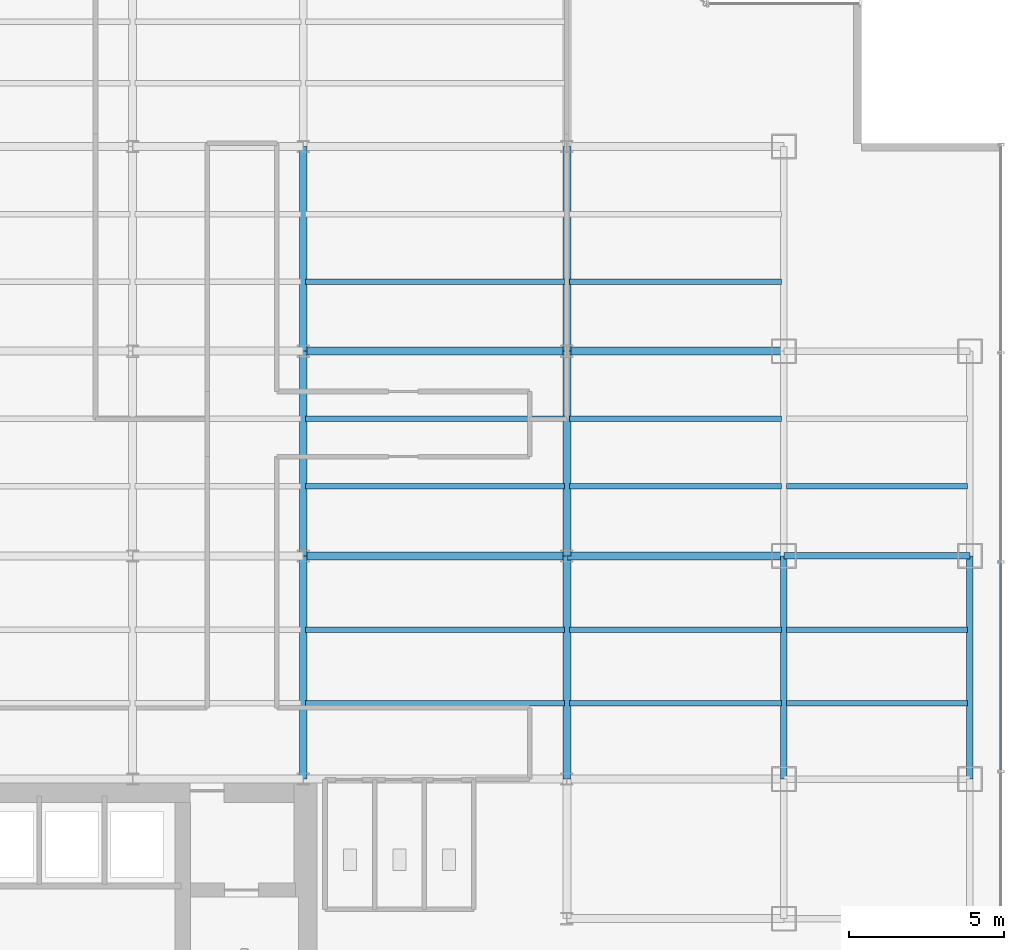
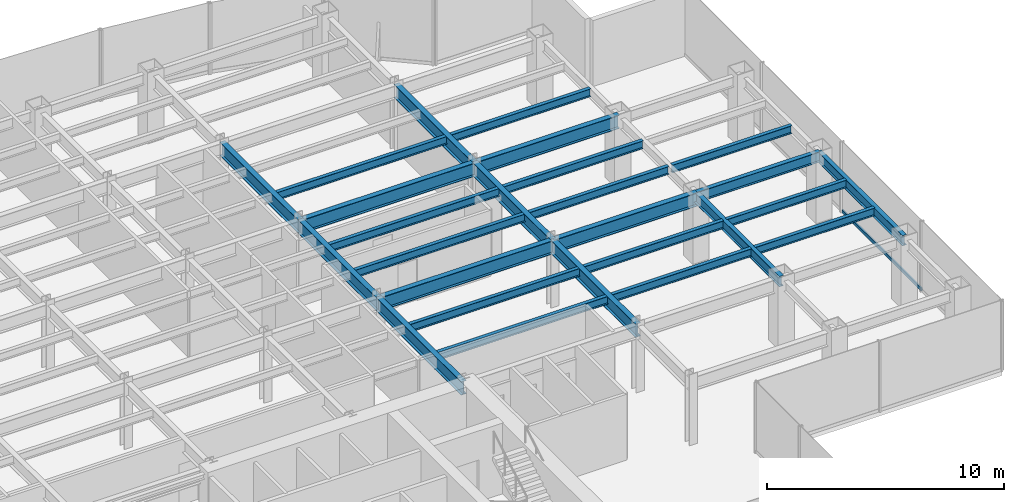
# One storey, part 11 of 26: 26 beams, 1 member, 1 element without a shape of its own.
"""IFC4 building model written with IfcOpenShell, lengths in metres."""

from ifc_helpers import new_model, si_unit, derived_unit, direction, frame, origin, origin_2d, place, context, subcontext, project, spatial, hollow_rectangle, i_section, extrude, source, transform, mapped, material, material_profile, profile_set, type_object, element, aggregate, save


model = new_model("IFC4")

# Units and contexts
model_context = context("Model", 3, precision=1e-05, world=origin(), true_north=direction((0.0, 1.0)))
body_context = subcontext(model_context, "Body", "Model", "MODEL_VIEW")
ifc_project = project(units=[si_unit("LENGTHUNIT", "METRE"), si_unit("AREAUNIT", "SQUARE_METRE"), si_unit("VOLUMEUNIT", "CUBIC_METRE"), si_unit("PLANEANGLEUNIT", "RADIAN"), si_unit("MASSUNIT", "GRAM", prefix="KILO"), derived_unit("THERMALTRANSMITTANCEUNIT", [(si_unit("POWERUNIT", "WATT"), 1), (si_unit("LENGTHUNIT", "METRE"), -2), (si_unit("THERMODYNAMICTEMPERATUREUNIT", "KELVIN"), -1)])], contexts=[model_context])

# Site, building, storey
site_placement = place(None, origin())
site = spatial("IfcSite", under=ifc_project, at=site_placement, CompositionType="ELEMENT")
building_placement = place(site_placement, origin())
building = spatial("IfcBuilding", under=site, at=building_placement, Name="Skarnbrae Concourse Arena and Tower", CompositionType="ELEMENT")
storey_placement = place(building_placement, frame((0.0, 0.0, 99.60009765625)))
storey = spatial("IfcBuildingStorey", under=building, at=storey_placement, Name="L24", CompositionType="ELEMENT", Elevation=99.60009765625)

# Beams
ifc_material_1 = material(Name="Steel CSA G40.21 350W", Category="steel")
ifc_material_profile_1 = material_profile(ifc_material_1, i_section(OverallWidth=0.256103515625, OverallDepth=0.693115234375, WebThickness=0.014404296875, FlangeThickness=0.023681640625, at=origin_2d()), Name="W690X170")
ifc_profile_set_1 = profile_set([ifc_material_profile_1], Name="Steel CSA G40.21 350W")
beam_type_1 = type_object("IfcBeamType", Name="BM-GIRD-W690X170", PredefinedType="BEAM", material=ifc_profile_set_1)
shared_shape_1 = source(origin(), body_context, "Body", "SweptSolid", [
    extrude(i_section(OverallWidth=0.256103515625, OverallDepth=0.693115234375, WebThickness=0.014404296875, FlangeThickness=0.023681640625, at=origin_2d()), origin(), (0.0, 0.0, 1.0), 7.0),
])
for number, where, z_axis, x_axis, name in (
    (1, (42.0, 21.199951171875, 3.053466796875), (1.0, 0.0, 0.0), (0.0, 1.0, 0.0), "L24 Primary E-W girder Y21.2-7"),
    (2, (42.0, 27.800048828125, 3.053466796875), (1.0, 0.0, 0.0), (0.0, 1.0, 0.0), "L24 Primary E-W girder Y27.8-7"),
):
    element("IfcBeam", number, at=place(storey_placement, frame(where, z_axis=z_axis, x_axis=x_axis)), inside=storey, type_object=beam_type_1, Name=name, PredefinedType="BEAM", context=body_context, shape_type="MappedRepresentation", body=[
        mapped(shared_shape_1, transform((0.0, 0.0, 0.0))),
    ])
ifc_material_profile_2 = material_profile(ifc_material_1, i_section(OverallWidth=0.208984375, OverallDepth=0.532958984375, WebThickness=0.01025390625, FlangeThickness=0.015625, at=origin_2d()), Name="W530X92")
ifc_profile_set_2 = profile_set([ifc_material_profile_2], Name="Steel CSA G40.21 350W")
beam_type_2 = type_object("IfcBeamType", Name="BM-SPAN-W530X92", PredefinedType="SPANDREL", material=ifc_profile_set_2)
shared_shape_2 = source(origin(), body_context, "Body", "SweptSolid", [
    extrude(i_section(OverallWidth=0.208984375, OverallDepth=0.532958984375, WebThickness=0.01025390625, FlangeThickness=0.015625, at=origin_2d()), origin(), (0.0, 0.0, 1.0), 6.0),
])
beam_placement = place(storey_placement, frame((49.0, 21.199951171875, 3.13330078125), z_axis=(1.0, 0.0, 0.0), x_axis=(0.0, 1.0, 0.0)))
element("IfcBeam", 3, at=beam_placement, inside=storey, type_object=beam_type_2, Name="L24 Perimeter spandrel Y21.2-8", PredefinedType="SPANDREL", context=body_context, shape_type="MappedRepresentation", body=[
    mapped(shared_shape_2, transform((0.0, 0.0, 0.0))),
])
shared_shape_3 = source(origin(), body_context, "Body", "SweptSolid", [
    extrude(i_section(OverallWidth=0.256103515625, OverallDepth=0.693115234375, WebThickness=0.014404296875, FlangeThickness=0.023681640625, at=origin_2d()), origin(), (0.0, 0.0, 1.0), 6.60009765625),
])
for number, where, z_axis, x_axis, name in (
    (4, (33.5, 21.199951171875, 3.053466796875), (0.0, 1.0, 0.0), (-1.0, 0.0, 0.0), "L24 Primary N-S girder X33.5-2"),
    (5, (42.0, 21.199951171875, 3.053466796875), (0.0, 1.0, 0.0), (-1.0, 0.0, 0.0), "L24 Primary N-S girder X42.0-3"),
):
    element("IfcBeam", number, at=place(storey_placement, frame(where, z_axis=z_axis, x_axis=x_axis)), inside=storey, type_object=beam_type_1, Name=name, PredefinedType="BEAM", context=body_context, shape_type="MappedRepresentation", body=[
        mapped(shared_shape_3, transform((0.0, 0.0, 0.0))),
    ])
shared_shape_4 = source(origin(), body_context, "Body", "SweptSolid", [
    extrude(i_section(OverallWidth=0.256103515625, OverallDepth=0.693115234375, WebThickness=0.014404296875, FlangeThickness=0.023681640625, at=origin_2d()), origin(), (0.0, 0.0, 1.0), 8.5),
])
for number, where, z_axis, x_axis, name in (
    (6, (33.5, 21.199951171875, 3.053466796875), (1.0, 0.0, 0.0), (0.0, 1.0, 0.0), "L24 Primary E-W girder Y21.2-6"),
    (7, (33.5, 27.800048828125, 3.053466796875), (1.0, 0.0, 0.0), (0.0, 1.0, 0.0), "L24 Primary E-W girder Y27.8-6"),
):
    element("IfcBeam", number, at=place(storey_placement, frame(where, z_axis=z_axis, x_axis=x_axis)), inside=storey, type_object=beam_type_1, Name=name, PredefinedType="BEAM", context=body_context, shape_type="MappedRepresentation", body=[
        mapped(shared_shape_4, transform((0.0, 0.0, 0.0))),
    ])
shared_shape_5 = source(origin(), body_context, "Body", "SweptSolid", [
    extrude(i_section(OverallWidth=0.208984375, OverallDepth=0.532958984375, WebThickness=0.01025390625, FlangeThickness=0.015625, at=origin_2d()), origin(), (0.0, 0.0, 1.0), 7.199951171875),
])
for number, where, z_axis, x_axis, name in (
    (8, (49.0, 14.0, 3.13330078125), (0.0, 1.0, 0.0), (-1.0, 0.0, 0.0), "L24 Perimeter spandrel X49.0-2"),
    (9, (55.0, 14.0, 3.13330078125), (0.0, 1.0, 0.0), (-1.0, 0.0, 0.0), "L24 Perimeter spandrel X55.0-2"),
):
    element("IfcBeam", number, at=place(storey_placement, frame(where, z_axis=z_axis, x_axis=x_axis)), inside=storey, type_object=beam_type_2, Name=name, PredefinedType="SPANDREL", context=body_context, shape_type="MappedRepresentation", body=[
        mapped(shared_shape_5, transform((0.0, 0.0, 0.0))),
    ])
shared_shape_6 = source(origin(), body_context, "Body", "SweptSolid", [
    extrude(i_section(OverallWidth=0.256103515625, OverallDepth=0.693115234375, WebThickness=0.014404296875, FlangeThickness=0.023681640625, at=origin_2d()), origin(), (0.0, 0.0, 1.0), 7.199951171875),
])
for number, where, z_axis, x_axis, name in (
    (10, (33.5, 14.0, 3.053466796875), (0.0, 1.0, 0.0), (-1.0, 0.0, 0.0), "L24 Primary N-S girder X33.5-1"),
    (11, (42.0, 14.0, 3.053466796875), (0.0, 1.0, 0.0), (-1.0, 0.0, 0.0), "L24 Primary N-S girder X42.0-2"),
):
    element("IfcBeam", number, at=place(storey_placement, frame(where, z_axis=z_axis, x_axis=x_axis)), inside=storey, type_object=beam_type_1, Name=name, PredefinedType="BEAM", context=body_context, shape_type="MappedRepresentation", body=[
        mapped(shared_shape_6, transform((0.0, 0.0, 0.0))),
    ])
shared_shape_7 = source(origin(), body_context, "Body", "SweptSolid", [
    extrude(i_section(OverallWidth=0.256103515625, OverallDepth=0.693115234375, WebThickness=0.014404296875, FlangeThickness=0.023681640625, at=origin_2d()), origin(), (0.0, 0.0, 1.0), 6.599853515625),
])
for number, where, z_axis, x_axis, name in (
    (12, (33.5, 27.800048828125, 3.053466796875), (0.0, 1.0, 0.0), (-1.0, 0.0, 0.0), "L24 Primary N-S girder X33.5-3"),
    (13, (42.0, 27.800048828125, 3.053466796875), (0.0, 1.0, 0.0), (-1.0, 0.0, 0.0), "L24 Primary N-S girder X42.0-4"),
):
    element("IfcBeam", number, at=place(storey_placement, frame(where, z_axis=z_axis, x_axis=x_axis)), inside=storey, type_object=beam_type_1, Name=name, PredefinedType="BEAM", context=body_context, shape_type="MappedRepresentation", body=[
        mapped(shared_shape_7, transform((0.0, 0.0, 0.0))),
    ])
ifc_material_profile_3 = material_profile(ifc_material_1, i_section(OverallWidth=0.177978515625, OverallDepth=0.406982421875, WebThickness=0.0078125, FlangeThickness=0.0126953125, at=origin_2d()), Name="W410X60")
ifc_profile_set_3 = profile_set([ifc_material_profile_3], Name="Steel CSA G40.21 350W")
beam_type_3 = type_object("IfcBeamType", Name="BM-JOIST-W410X60", PredefinedType="JOIST", material=ifc_profile_set_3)
shared_shape_8 = source(origin(), body_context, "Body", "SweptSolid", [
    extrude(i_section(OverallWidth=0.177978515625, OverallDepth=0.406982421875, WebThickness=0.0078125, FlangeThickness=0.0126953125, at=origin_2d()), origin(), (0.0, 0.0, 1.0), 8.33984375),
])
for number, where, z_axis, x_axis, name in (
    (14, (33.580078125, 16.447998046875, 3.1962890625), (1.0, 0.0, 0.0), (0.0, 1.0, 0.0), "L24 Secondary floor joist 1.1.6"),
    (15, (33.580078125, 18.823974609375, 3.1962890625), (1.0, 0.0, 0.0), (0.0, 1.0, 0.0), "L24 Secondary floor joist 1.2.6"),
    (16, (33.580078125, 23.444091796875, 3.1962890625), (1.0, 0.0, 0.0), (0.0, 1.0, 0.0), "L24 Secondary floor joist 2.1.6"),
    (17, (33.580078125, 25.6220703125, 3.1962890625), (1.0, 0.0, 0.0), (0.0, 1.0, 0.0), "L24 Secondary floor joist 2.2.6"),
    (18, (33.580078125, 30.0439453125, 3.1962890625), (1.0, 0.0, 0.0), (0.0, 1.0, 0.0), "L24 Secondary floor joist 3.1.5"),
):
    element("IfcBeam", number, at=place(storey_placement, frame(where, z_axis=z_axis, x_axis=x_axis)), inside=storey, type_object=beam_type_3, Name=name, PredefinedType="JOIST", context=body_context, shape_type="MappedRepresentation", body=[
        mapped(shared_shape_8, transform((0.0, 0.0, 0.0))),
    ])
shared_shape_9 = source(origin(), body_context, "Body", "SweptSolid", [
    extrude(i_section(OverallWidth=0.177978515625, OverallDepth=0.406982421875, WebThickness=0.0078125, FlangeThickness=0.0126953125, at=origin_2d()), origin(), (0.0, 0.0, 1.0), 6.83984375),
])
for number, where, z_axis, x_axis, name in (
    (19, (42.080078125, 16.447998046875, 3.1962890625), (1.0, 0.0, 0.0), (0.0, 1.0, 0.0), "L24 Secondary floor joist 1.1.7"),
    (20, (42.080078125, 18.823974609375, 3.1962890625), (1.0, 0.0, 0.0), (0.0, 1.0, 0.0), "L24 Secondary floor joist 1.2.7"),
    (21, (42.080078125, 23.444091796875, 3.1962890625), (1.0, 0.0, 0.0), (0.0, 1.0, 0.0), "L24 Secondary floor joist 2.1.7"),
    (22, (42.080078125, 25.6220703125, 3.1962890625), (1.0, 0.0, 0.0), (0.0, 1.0, 0.0), "L24 Secondary floor joist 2.2.7"),
    (23, (42.080078125, 30.0439453125, 3.1962890625), (1.0, 0.0, 0.0), (0.0, 1.0, 0.0), "L24 Secondary floor joist 3.1.6"),
):
    element("IfcBeam", number, at=place(storey_placement, frame(where, z_axis=z_axis, x_axis=x_axis)), inside=storey, type_object=beam_type_3, Name=name, PredefinedType="JOIST", context=body_context, shape_type="MappedRepresentation", body=[
        mapped(shared_shape_9, transform((0.0, 0.0, 0.0))),
    ])
shared_shape_10 = source(origin(), body_context, "Body", "SweptSolid", [
    extrude(i_section(OverallWidth=0.177978515625, OverallDepth=0.406982421875, WebThickness=0.0078125, FlangeThickness=0.0126953125, at=origin_2d()), origin(), (0.0, 0.0, 1.0), 5.83984375),
])
for number, where, z_axis, x_axis, name in (
    (24, (49.080078125, 16.447998046875, 3.1962890625), (1.0, 0.0, 0.0), (0.0, 1.0, 0.0), "L24 Secondary floor joist 1.1.8"),
    (25, (49.080078125, 18.823974609375, 3.1962890625), (1.0, 0.0, 0.0), (0.0, 1.0, 0.0), "L24 Secondary floor joist 1.2.8"),
    (26, (49.080078125, 23.444091796875, 3.1962890625), (1.0, 0.0, 0.0), (0.0, 1.0, 0.0), "L24 Secondary floor joist 2.1.8"),
):
    element("IfcBeam", number, at=place(storey_placement, frame(where, z_axis=z_axis, x_axis=x_axis)), inside=storey, type_object=beam_type_3, Name=name, PredefinedType="JOIST", context=body_context, shape_type="MappedRepresentation", body=[
        mapped(shared_shape_10, transform((0.0, 0.0, 0.0))),
    ])

# Curtain wall, member
ifc_material_2 = material(Name="Bronze anodised aluminium 6063-T6", Category="aluminium")
curtain_wall_type = type_object("IfcCurtainWallType", Name="CW-SYS-04-MIDZONE", PredefinedType="USERDEFINED", material=ifc_material_2)
curtain_wall_placement = place(storey_placement, origin())
curtain_wall = element("IfcCurtainWall", 27, at=curtain_wall_placement, inside=storey, type_object=curtain_wall_type, Name="L24 Unitised curtain wall CW-L24-E04", ObjectType="UNITISED CURTAIN WALL", PredefinedType="USERDEFINED")
ifc_material_profile_4 = material_profile(ifc_material_2, hollow_rectangle(XDim=0.074951171875, YDim=0.159912109375, WallThickness=0.00439453125, at=origin_2d()), Name="ALU-TRAN-75X160")
ifc_profile_set_4 = profile_set([ifc_material_profile_4], Name="Bronze anodised aluminium 6063-T6")
member_type = type_object("IfcMemberType", Name="CWT-CW-04", PredefinedType="USERDEFINED", material=ifc_profile_set_4)
shared_shape_11 = source(origin(), body_context, "Body", "SweptSolid", [
    extrude(hollow_rectangle(XDim=0.074951171875, YDim=0.159912109375, WallThickness=0.00439453125, at=origin_2d()), origin(), (0.0, 0.0, 1.0), 6.6748046875),
])
member_placement = place(storey_placement, frame((56.0, 14.28759765625, 0.079833984375), z_axis=(0.0, 1.0, 0.0), x_axis=(-1.0, 0.0, 0.0)))
member = element("IfcMember", 28, at=member_placement, type_object=member_type, Name="CW-L24-E04 Transom 2", ObjectType="TRANSOM", PredefinedType="USERDEFINED", context=body_context, shape_type="MappedRepresentation", body=[
    mapped(shared_shape_11, transform((0.0, 0.0, 0.0))),
])
aggregate(curtain_wall, [member])

save(model, "model.ifc")
